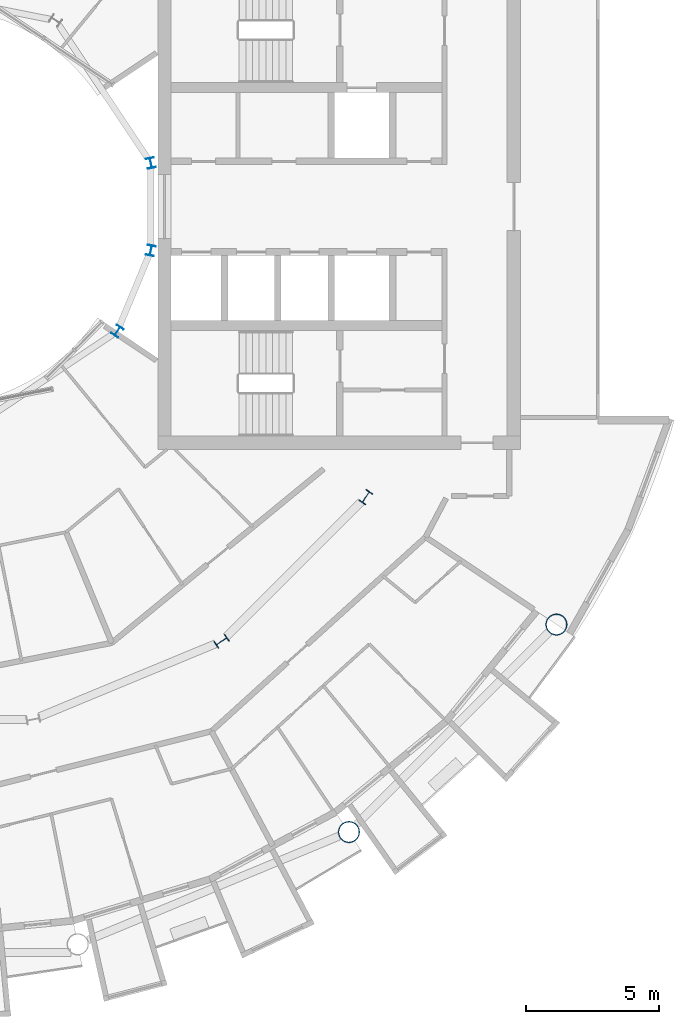
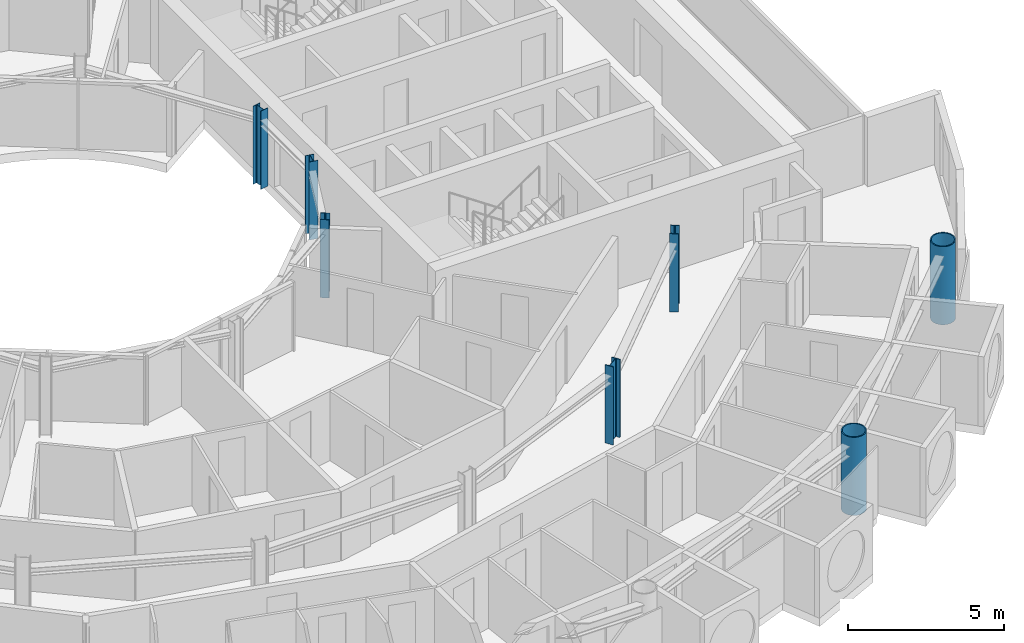
# One storey, part 2 of 26: 7 columns.
"""IFC4 building model written with IfcOpenShell, lengths in metres."""

from ifc_helpers import new_model, si_unit, direction, frame, origin, origin_2d, place, context, subcontext, project, spatial, hollow_circle, i_section, extrude, material, material_profile, profile_set, type_object, element, save


model = new_model("IFC4")

# Units and contexts
model_context = context("Model", 3, precision=1e-05, world=origin(), true_north=direction((0.0, 1.0)))
body_context = subcontext(model_context, "Body", "Model", "MODEL_VIEW")
ifc_project = project(units=[si_unit("LENGTHUNIT", "METRE"), si_unit("AREAUNIT", "SQUARE_METRE"), si_unit("VOLUMEUNIT", "CUBIC_METRE"), si_unit("PLANEANGLEUNIT", "RADIAN"), si_unit("MASSUNIT", "GRAM", prefix="KILO")], contexts=[model_context])

# Site, building, storey
site_placement = place(None, origin())
site = spatial("IfcSite", under=ifc_project, at=site_placement, CompositionType="ELEMENT")
building_placement = place(site_placement, origin())
building = spatial("IfcBuilding", under=site, at=building_placement, Name="Maasbend Ring Residences", CompositionType="ELEMENT")
storey_placement = place(building_placement, frame((0.0, 0.0, 161.60009765625)))
storey = spatial("IfcBuildingStorey", under=building, at=storey_placement, Name="L46", CompositionType="ELEMENT", Elevation=161.60009765625)

# Columns
ifc_material_1 = material(Name="Composite concrete-filled steel tube S460NH / C80/95", Category="concrete")
ifc_material_profile_1 = material_profile(ifc_material_1, hollow_circle(Radius=0.406494140625, WallThickness=0.0400390625, at=origin_2d()), Name="Composite tube column CHS 813x40")
ifc_profile_set_1 = profile_set([ifc_material_profile_1], Name="Composite concrete-filled steel tube S460NH / C80/95")
column_type_1 = type_object("IfcColumnType", Name="Composite tube column CHS 813x40", PredefinedType="COLUMN", material=ifc_profile_set_1)
for number, where, z_axis, x_axis, name in (
    (1, (15.6669921875, -23.447509765625, 0.0), (0.0, 0.0, 1.0), (1.0, 0.0, 0.0), "Outer column R14"),
    (2, (23.447509765625, -15.6669921875, 0.0), (0.0, 0.0, 1.0), (1.0, 0.0, 0.0), "Outer column R15"),
):
    element("IfcColumn", number, at=place(storey_placement, frame(where, z_axis=z_axis, x_axis=x_axis)), inside=storey, type_object=column_type_1, Name=name, PredefinedType="COLUMN", context=body_context, shape_type="SweptSolid", body=[
        extrude(hollow_circle(Radius=0.406494140625, WallThickness=0.0400390625, at=origin_2d()), origin(), (0.0, 0.0, 1.0), 3.0498046875),
    ])
ifc_material_2 = material(Name="Steel S355J2", Category="steel")
ifc_material_profile_2 = material_profile(ifc_material_2, i_section(OverallWidth=0.300048828125, OverallDepth=0.389892578125, WebThickness=0.010986328125, FlangeThickness=0.01904296875, FilletRadius=0.027099609375, at=origin_2d()), Name="HEA 400")
ifc_profile_set_2 = profile_set([ifc_material_profile_2], Name="Steel S355J2")
column_type_2 = type_object("IfcColumnType", Name="Steel column HEA 400", PredefinedType="COLUMN", material=ifc_profile_set_2)
for number, where, z_axis, x_axis, name in (
    (3, (8.238525390625, 1.638916015625, 0.0), (0.0, 0.0, 1.0), (0.980785280403, 0.195090322016, 0.0), "Well ring column R1"),
    (4, (6.984375, -4.666748046875, 0.0), (0.0, 0.0, 1.0), (0.831469612303, -0.55557023302, 0.0), "Well ring column R15"),
    (5, (8.238525390625, -1.638916015625, 0.0), (0.0, 0.0, 1.0), (0.980785280403, -0.195090322016, 0.0), "Well ring column R16"),
):
    element("IfcColumn", number, at=place(storey_placement, frame(where, z_axis=z_axis, x_axis=x_axis)), inside=storey, type_object=column_type_2, Name=name, PredefinedType="COLUMN", context=body_context, shape_type="SweptSolid", body=[
        extrude(i_section(OverallWidth=0.300048828125, OverallDepth=0.389892578125, WebThickness=0.010986328125, FlangeThickness=0.01904296875, FilletRadius=0.027099609375, at=origin_2d()), origin(), (0.0, 0.0, 1.0), 3.0498046875),
    ])
ifc_material_3 = material(Name="Steel S355J2", Category="steel")
ifc_material_profile_3 = material_profile(ifc_material_3, i_section(OverallWidth=0.300048828125, OverallDepth=0.5, WebThickness=0.014404296875, FlangeThickness=0.028076171875, FilletRadius=0.027099609375, at=origin_2d()), Name="HEB 500")
ifc_profile_set_3 = profile_set([ifc_material_profile_3], Name="Steel S355J2")
column_type_3 = type_object("IfcColumnType", Name="Steel column HEB 500", PredefinedType="COLUMN", material=ifc_profile_set_3)
for number, where, z_axis, x_axis, name in (
    (6, (10.88916015625, -16.296875, 0.0), (0.0, 0.0, 1.0), (0.55557023302, -0.831469612303, 0.0), "Corridor ring column R14"),
    (7, (16.296875, -10.88916015625, 0.0), (0.0, 0.0, 1.0), (0.831469612303, -0.55557023302, 0.0), "Corridor ring column R15"),
):
    element("IfcColumn", number, at=place(storey_placement, frame(where, z_axis=z_axis, x_axis=x_axis)), inside=storey, type_object=column_type_3, Name=name, PredefinedType="COLUMN", context=body_context, shape_type="SweptSolid", body=[
        extrude(i_section(OverallWidth=0.300048828125, OverallDepth=0.5, WebThickness=0.014404296875, FlangeThickness=0.028076171875, FilletRadius=0.027099609375, at=origin_2d()), origin(), (0.0, 0.0, 1.0), 3.0498046875),
    ])

save(model, "model.ifc")
